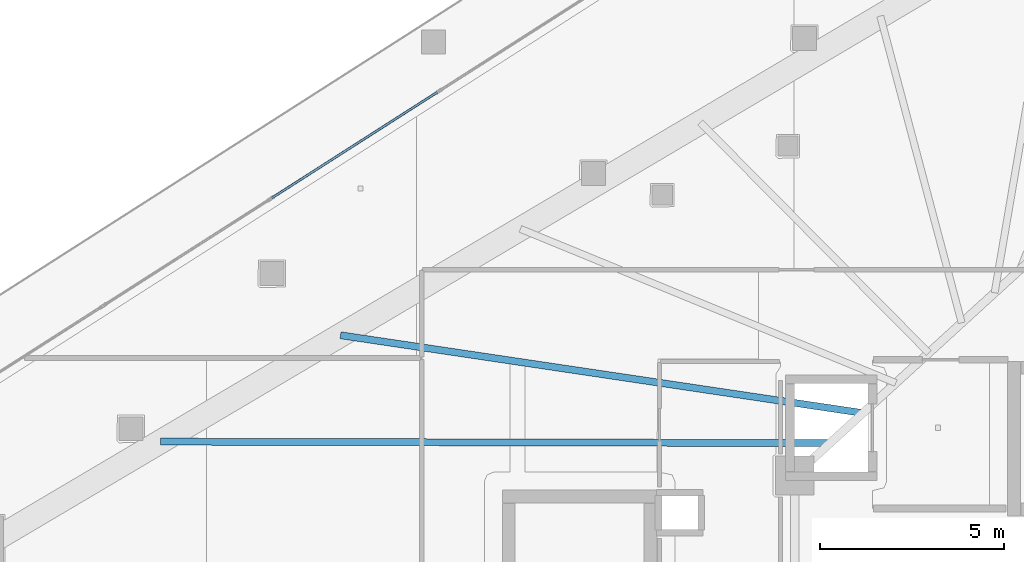
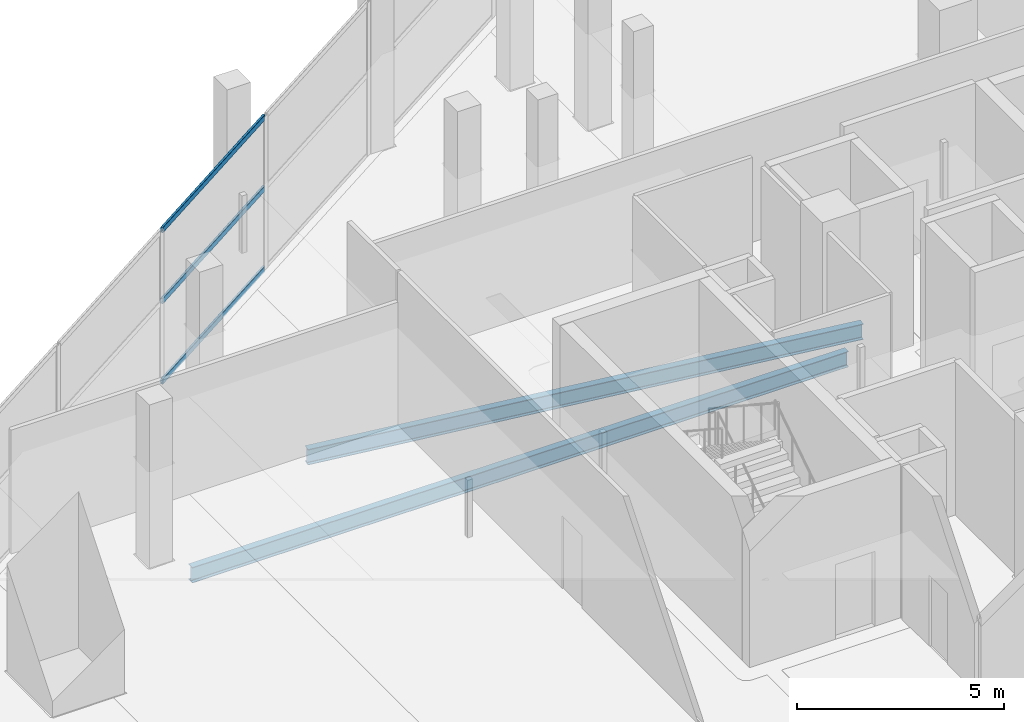
# One storey, part 13 of 42: 3 members, 2 beams, 1 element without a shape of its own.
"""IFC4 building model written with IfcOpenShell, lengths in metres."""

from ifc_helpers import new_model, si_unit, direction, frame, origin, origin_2d, place, context, subcontext, project, spatial, hollow_rectangle, i_section, extrude, material, layer, layer_set, material_profile, profile_set, type_object, element, aggregate, save


model = new_model("IFC4")

# Units and contexts
model_context = context("Model", 3, precision=1e-05, world=origin(), true_north=direction((0.0, 1.0)))
body_context = subcontext(model_context, "Body", "Model", "MODEL_VIEW")
ifc_project = project(units=[si_unit("LENGTHUNIT", "METRE"), si_unit("AREAUNIT", "SQUARE_METRE"), si_unit("VOLUMEUNIT", "CUBIC_METRE"), si_unit("PLANEANGLEUNIT", "RADIAN"), si_unit("MASSUNIT", "GRAM", prefix="KILO")], contexts=[model_context])

# Site, building, storey
site_placement = place(None, origin())
site = spatial("IfcSite", under=ifc_project, at=site_placement, CompositionType="ELEMENT")
building_placement = place(site_placement, origin())
building = spatial("IfcBuilding", under=site, at=building_placement, Name="Qorvath Tower", CompositionType="ELEMENT")
storey_placement = place(building_placement, frame((0.0, 0.0, 105.0)))
storey = spatial("IfcBuildingStorey", under=building, at=storey_placement, Name="L23", CompositionType="ELEMENT", Elevation=105.0)

# Beams
ifc_material_1 = material(Name="Steel ASTM A992 Grade 50", Category="steel")
ifc_material_profile_1 = material_profile(ifc_material_1, i_section(OverallWidth=0.18994140625, OverallDepth=0.45703125, WebThickness=0.009033203125, FlangeThickness=0.014404296875, FilletRadius=0.011962890625, at=origin_2d()), Name="W18x50")
ifc_profile_set_1 = profile_set([ifc_material_profile_1], Name="Steel ASTM A992 Grade 50")
beam_type = type_object("IfcBeamType", Name="BM-FJ2", PredefinedType="JOIST", material=ifc_profile_set_1)
beam_1_placement = place(storey_placement, frame((-29.533935546875, 6.031982421875, -0.528564453125), z_axis=(-0.999997589883, 0.002195501951, 0.0), x_axis=(-0.002195501951, -0.999997589883, 0.0)))
element("IfcBeam", 1, at=beam_1_placement, inside=storey, type_object=beam_type, Name="Composite Floor Joist NW1 L23", PredefinedType="JOIST", context=body_context, shape_type="SweptSolid", body=[
    extrude(i_section(OverallWidth=0.18994140625, OverallDepth=0.45703125, WebThickness=0.009033203125, FlangeThickness=0.014404296875, FilletRadius=0.011962890625, at=origin_2d()), origin(), (0.0, 0.0, 1.0), 18.23681640625),
])
beam_2_placement = place(storey_placement, frame((-28.636962890625, 6.85107421875, -0.528564453125), z_axis=(-0.989092860328, 0.147293291256, 0.0), x_axis=(-0.147293291256, -0.989092860328, 0.0)))
element("IfcBeam", 2, at=beam_2_placement, inside=storey, type_object=beam_type, Name="Composite Floor Joist NW2 L23", PredefinedType="JOIST", context=body_context, shape_type="SweptSolid", body=[
    extrude(i_section(OverallWidth=0.18994140625, OverallDepth=0.45703125, WebThickness=0.009033203125, FlangeThickness=0.014404296875, FilletRadius=0.011962890625, at=origin_2d()), origin(), (0.0, 0.0, 1.0), 14.388916015625),
])

# Curtain wall, members
ifc_material_2 = material(Name="Anodised aluminium and triple low-E glass", Category="aluminium")
ifc_layer = layer(ifc_material_2, 0.179931640625)
ifc_layer_set = layer_set([ifc_layer], Name="CW-SYS-5")
curtain_wall_type = type_object("IfcCurtainWallType", Name="CW-SYS-5", PredefinedType="NOTDEFINED", material=ifc_layer_set)
curtain_wall_placement = place(storey_placement, origin())
curtain_wall = element("IfcCurtainWall", 3, at=curtain_wall_placement, inside=storey, type_object=curtain_wall_type, Name="Curtain Wall CW-5 CW-T-L23-16.3", PredefinedType="NOTDEFINED")
ifc_material_3 = material(Name="Anodised aluminium 6063-T6", Category="aluminium")
ifc_material_profile_2 = material_profile(ifc_material_3, hollow_rectangle(XDim=0.06494140625, YDim=0.159912109375, WallThickness=0.00341796875, InnerFilletRadius=0.00341796875, OuterFilletRadius=0.007080078125, at=origin_2d()), Name="CWT 160x65")
ifc_profile_set_2 = profile_set([ifc_material_profile_2], Name="Anodised aluminium 6063-T6")
member_type = type_object("IfcMemberType", Name="CWT-160", PredefinedType="USERDEFINED", material=ifc_profile_set_2)
member_1_placement = place(storey_placement, frame((-40.227294921875, 15.5947265625, 0.032470703125), z_axis=(-0.842595089647, -0.538547597621, 0.0), x_axis=(0.538547597621, -0.842595089647, 0.0)))
member_1 = element("IfcMember", 4, at=member_1_placement, type_object=member_type, Name="CW-5 transom 2.1", ObjectType="TRANSOM", PredefinedType="USERDEFINED", context=body_context, shape_type="SweptSolid", body=[
    extrude(hollow_rectangle(XDim=0.06494140625, YDim=0.159912109375, WallThickness=0.00341796875, InnerFilletRadius=0.00341796875, OuterFilletRadius=0.007080078125, at=origin_2d()), origin(), (0.0, 0.0, 1.0), 5.353271484375),
])
member_2_placement = place(storey_placement, frame((-40.227294921875, 15.5947265625, 2.39990234375), z_axis=(-0.842595089647, -0.538547597621, 0.0), x_axis=(0.538547597621, -0.842595089647, 0.0)))
member_2 = element("IfcMember", 5, at=member_2_placement, type_object=member_type, Name="CW-5 transom 2.2", ObjectType="TRANSOM", PredefinedType="USERDEFINED", context=body_context, shape_type="SweptSolid", body=[
    extrude(hollow_rectangle(XDim=0.06494140625, YDim=0.159912109375, WallThickness=0.00341796875, InnerFilletRadius=0.00341796875, OuterFilletRadius=0.007080078125, at=origin_2d()), origin(), (0.0, 0.0, 1.0), 5.353271484375),
])
member_3_placement = place(storey_placement, frame((-40.227294921875, 15.5947265625, 4.487548828125), z_axis=(-0.842595089647, -0.538547597621, 0.0), x_axis=(0.538547597621, -0.842595089647, 0.0)))
member_3 = element("IfcMember", 6, at=member_3_placement, type_object=member_type, Name="CW-5 transom 2.3", ObjectType="TRANSOM", PredefinedType="USERDEFINED", context=body_context, shape_type="SweptSolid", body=[
    extrude(hollow_rectangle(XDim=0.06494140625, YDim=0.159912109375, WallThickness=0.00341796875, InnerFilletRadius=0.00341796875, OuterFilletRadius=0.007080078125, at=origin_2d()), origin(), (0.0, 0.0, 1.0), 5.353271484375),
])
aggregate(curtain_wall, [member_1, member_2, member_3])

save(model, "model.ifc")
